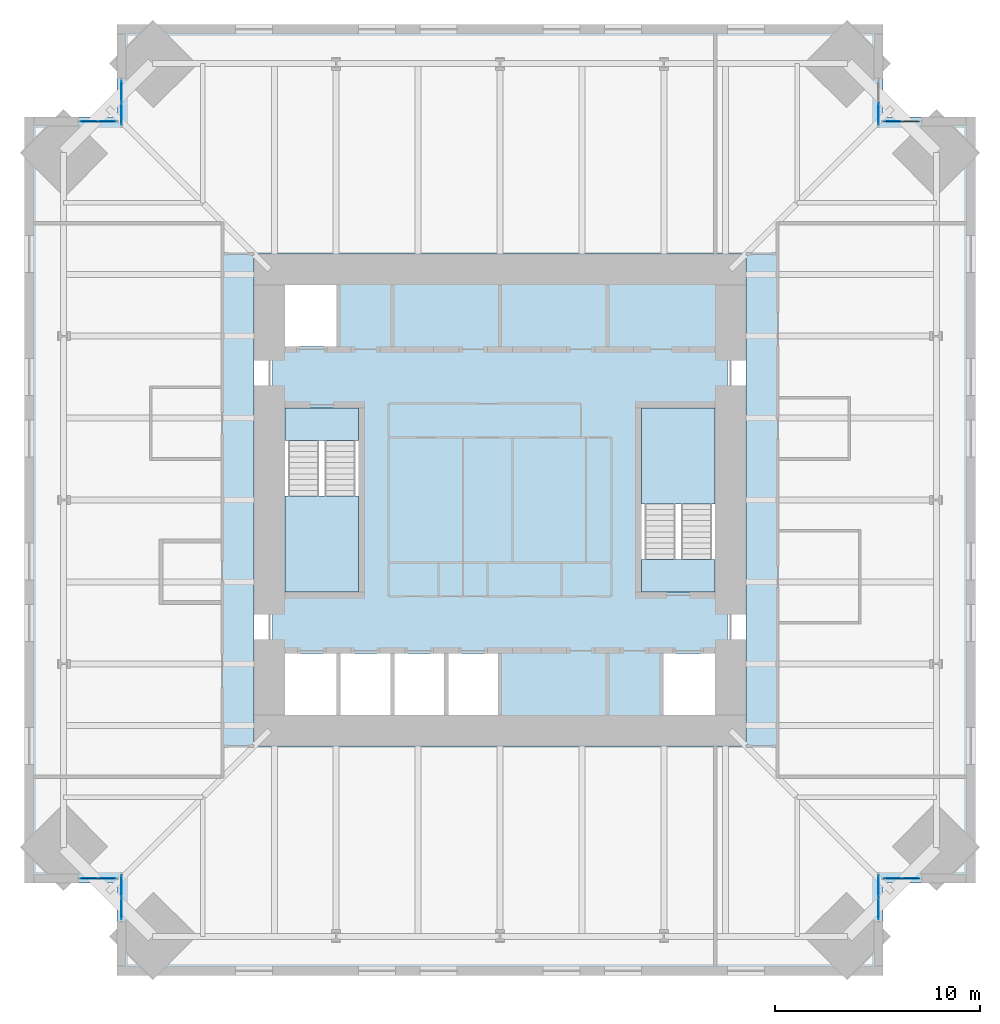
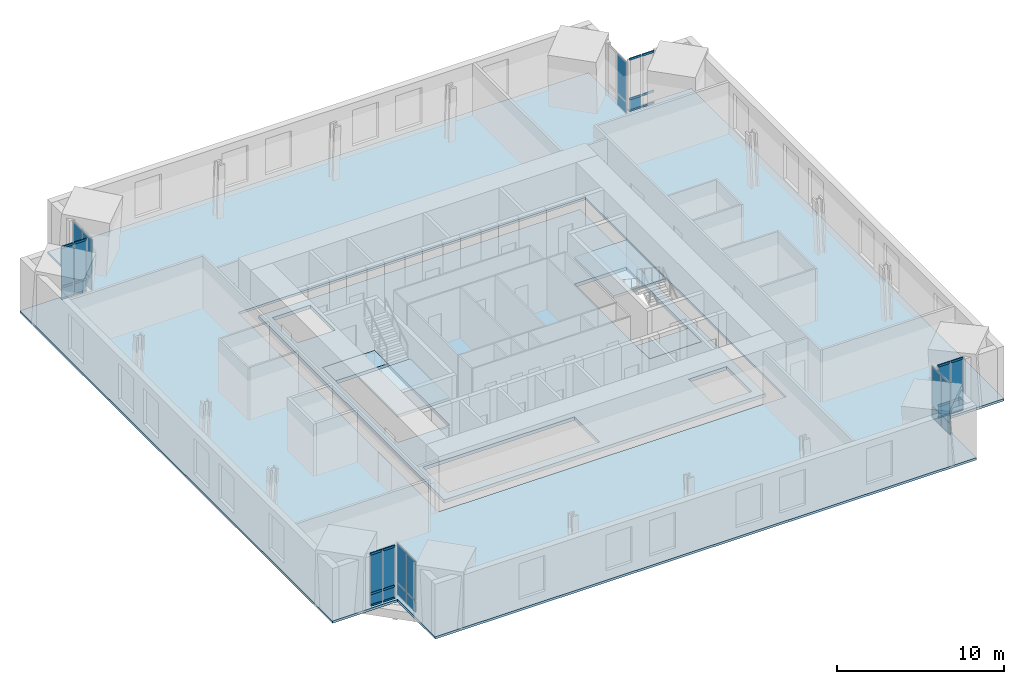
# One storey, part 9 of 15: 27 plates, 24 members, 6 slabs, 10 elements without a shape of their own.
"""IFC4 building model written with IfcOpenShell, lengths in metres."""

from ifc_helpers import new_model, si_unit, direction, frame, origin, origin_2d, place, context, subcontext, project, spatial, polyline, rectangle, hollow_rectangle, outline, extrude, material, layer, layer_set, material_profile, profile_set, type_object, element, aggregate, save


model = new_model("IFC4")

# Units and contexts
model_context = context("Model", 3, precision=1e-05, world=origin(), true_north=direction((0.0, 1.0)))
body_context = subcontext(model_context, "Body", "Model", "MODEL_VIEW")
ifc_project = project(units=[si_unit("LENGTHUNIT", "METRE"), si_unit("AREAUNIT", "SQUARE_METRE"), si_unit("VOLUMEUNIT", "CUBIC_METRE"), si_unit("PLANEANGLEUNIT", "RADIAN"), si_unit("MASSUNIT", "GRAM", prefix="KILO")], contexts=[model_context])

# Site, building, storey
site_placement = place(None, origin())
site = spatial("IfcSite", under=ifc_project, at=site_placement, CompositionType="ELEMENT")
building_placement = place(site_placement, origin())
building = spatial("IfcBuilding", under=site, at=building_placement, Name="Peilmerk Tower", CompositionType="ELEMENT")
storey_placement = place(building_placement, frame((0.0, 0.0, 237.800048828125)))
storey = spatial("IfcBuildingStorey", under=building, at=storey_placement, Name="L52", CompositionType="ELEMENT", Elevation=237.800048828125)

# Curtain wall, members
ifc_material_1 = material(Name="Aluminium stick curtain wall", Category="aluminium")
curtain_wall_type = type_object("IfcCurtainWallType", Name="CW4 stick curtain wall, 2250 module", PredefinedType="NOTDEFINED", material=ifc_material_1)
curtain_wall_1_placement = place(storey_placement, origin())
curtain_wall_1 = element("IfcCurtainWall", 1, at=curtain_wall_1_placement, inside=storey, type_object=curtain_wall_type, Name="Curtain wall CW4 NEB L52", PredefinedType="NOTDEFINED")
ifc_material_2 = material(Name="Aluminium EN AW-6063 T6", Category="aluminium")
ifc_material_profile = material_profile(ifc_material_2, hollow_rectangle(XDim=0.06494140625, YDim=0.14990234375, WallThickness=0.0029296875, at=origin_2d()), Name="AL 150x65x3")
ifc_profile_set = profile_set([ifc_material_profile], Name="Aluminium EN AW-6063 T6")
member_type = type_object("IfcMemberType", Name="CW4-T AL 150x65x3 transom", PredefinedType="USERDEFINED", material=ifc_profile_set)
member_1_placement = place(storey_placement, frame((18.764892578125, 18.47509765625, 0.032470703125), z_axis=(1.0, 0.0, 0.0), x_axis=(0.0, 1.0, 0.0)))
member_1 = element("IfcMember", 2, at=member_1_placement, type_object=member_type, Name="CW4 transom 1.1", ObjectType="TRANSOM", PredefinedType="USERDEFINED", context=body_context, shape_type="SweptSolid", body=[
    extrude(hollow_rectangle(XDim=0.06494140625, YDim=0.14990234375, WallThickness=0.0029296875, at=origin_2d()), origin(), (0.0, 0.0, 1.0), 0.822021484375),
])
member_2_placement = place(storey_placement, frame((18.764892578125, 18.47509765625, 0.89990234375), z_axis=(1.0, 0.0, 0.0), x_axis=(0.0, 1.0, 0.0)))
member_2 = element("IfcMember", 3, at=member_2_placement, type_object=member_type, Name="CW4 transom 1.2", ObjectType="TRANSOM", PredefinedType="USERDEFINED", context=body_context, shape_type="SweptSolid", body=[
    extrude(hollow_rectangle(XDim=0.06494140625, YDim=0.14990234375, WallThickness=0.0029296875, at=origin_2d()), origin(), (0.0, 0.0, 1.0), 0.822021484375),
])
member_3_placement = place(storey_placement, frame((18.764892578125, 18.47509765625, 3.79736328125), z_axis=(1.0, 0.0, 0.0), x_axis=(0.0, 1.0, 0.0)))
member_3 = element("IfcMember", 4, at=member_3_placement, type_object=member_type, Name="CW4 transom 1.3", ObjectType="TRANSOM", PredefinedType="USERDEFINED", context=body_context, shape_type="SweptSolid", body=[
    extrude(hollow_rectangle(XDim=0.06494140625, YDim=0.14990234375, WallThickness=0.0029296875, at=origin_2d()), origin(), (0.0, 0.0, 1.0), 0.822021484375),
])
member_4_placement = place(storey_placement, frame((19.65185546875, 18.47509765625, 0.032470703125), z_axis=(1.0, 0.0, 0.0), x_axis=(0.0, 1.0, 0.0)))
member_4 = element("IfcMember", 5, at=member_4_placement, type_object=member_type, Name="CW4 transom 2.1", ObjectType="TRANSOM", PredefinedType="USERDEFINED", context=body_context, shape_type="SweptSolid", body=[
    extrude(hollow_rectangle(XDim=0.06494140625, YDim=0.14990234375, WallThickness=0.0029296875, at=origin_2d()), origin(), (0.0, 0.0, 1.0), 0.82177734375),
])
member_5_placement = place(storey_placement, frame((19.65185546875, 18.47509765625, 0.89990234375), z_axis=(1.0, 0.0, 0.0), x_axis=(0.0, 1.0, 0.0)))
member_5 = element("IfcMember", 6, at=member_5_placement, type_object=member_type, Name="CW4 transom 2.2", ObjectType="TRANSOM", PredefinedType="USERDEFINED", context=body_context, shape_type="SweptSolid", body=[
    extrude(hollow_rectangle(XDim=0.06494140625, YDim=0.14990234375, WallThickness=0.0029296875, at=origin_2d()), origin(), (0.0, 0.0, 1.0), 0.82177734375),
])
member_6_placement = place(storey_placement, frame((19.65185546875, 18.47509765625, 3.79736328125), z_axis=(1.0, 0.0, 0.0), x_axis=(0.0, 1.0, 0.0)))
member_6 = element("IfcMember", 7, at=member_6_placement, type_object=member_type, Name="CW4 transom 2.3", ObjectType="TRANSOM", PredefinedType="USERDEFINED", context=body_context, shape_type="SweptSolid", body=[
    extrude(hollow_rectangle(XDim=0.06494140625, YDim=0.14990234375, WallThickness=0.0029296875, at=origin_2d()), origin(), (0.0, 0.0, 1.0), 0.82177734375),
])

curtain_wall_2_placement = place(storey_placement, origin())
curtain_wall_2 = element("IfcCurtainWall", 8, at=curtain_wall_2_placement, inside=storey, type_object=curtain_wall_type, Name="Curtain wall CW4 SEB L52", PredefinedType="NOTDEFINED")
member_7_placement = place(storey_placement, frame((18.764892578125, -18.47509765625, 0.032470703125), z_axis=(1.0, 0.0, 0.0), x_axis=(0.0, 1.0, 0.0)))
member_7 = element("IfcMember", 9, at=member_7_placement, type_object=member_type, Name="CW4 transom 1.1", ObjectType="TRANSOM", PredefinedType="USERDEFINED", context=body_context, shape_type="SweptSolid", body=[
    extrude(hollow_rectangle(XDim=0.06494140625, YDim=0.14990234375, WallThickness=0.0029296875, at=origin_2d()), origin(), (0.0, 0.0, 1.0), 0.822021484375),
])
member_8_placement = place(storey_placement, frame((18.764892578125, -18.47509765625, 0.89990234375), z_axis=(1.0, 0.0, 0.0), x_axis=(0.0, 1.0, 0.0)))
member_8 = element("IfcMember", 10, at=member_8_placement, type_object=member_type, Name="CW4 transom 1.2", ObjectType="TRANSOM", PredefinedType="USERDEFINED", context=body_context, shape_type="SweptSolid", body=[
    extrude(hollow_rectangle(XDim=0.06494140625, YDim=0.14990234375, WallThickness=0.0029296875, at=origin_2d()), origin(), (0.0, 0.0, 1.0), 0.822021484375),
])
member_9_placement = place(storey_placement, frame((18.764892578125, -18.47509765625, 3.79736328125), z_axis=(1.0, 0.0, 0.0), x_axis=(0.0, 1.0, 0.0)))
member_9 = element("IfcMember", 11, at=member_9_placement, type_object=member_type, Name="CW4 transom 1.3", ObjectType="TRANSOM", PredefinedType="USERDEFINED", context=body_context, shape_type="SweptSolid", body=[
    extrude(hollow_rectangle(XDim=0.06494140625, YDim=0.14990234375, WallThickness=0.0029296875, at=origin_2d()), origin(), (0.0, 0.0, 1.0), 0.822021484375),
])
member_10_placement = place(storey_placement, frame((19.65185546875, -18.47509765625, 0.032470703125), z_axis=(1.0, 0.0, 0.0), x_axis=(0.0, 1.0, 0.0)))
member_10 = element("IfcMember", 12, at=member_10_placement, type_object=member_type, Name="CW4 transom 2.1", ObjectType="TRANSOM", PredefinedType="USERDEFINED", context=body_context, shape_type="SweptSolid", body=[
    extrude(hollow_rectangle(XDim=0.06494140625, YDim=0.14990234375, WallThickness=0.0029296875, at=origin_2d()), origin(), (0.0, 0.0, 1.0), 0.82177734375),
])
member_11_placement = place(storey_placement, frame((19.65185546875, -18.47509765625, 0.89990234375), z_axis=(1.0, 0.0, 0.0), x_axis=(0.0, 1.0, 0.0)))
member_11 = element("IfcMember", 13, at=member_11_placement, type_object=member_type, Name="CW4 transom 2.2", ObjectType="TRANSOM", PredefinedType="USERDEFINED", context=body_context, shape_type="SweptSolid", body=[
    extrude(hollow_rectangle(XDim=0.06494140625, YDim=0.14990234375, WallThickness=0.0029296875, at=origin_2d()), origin(), (0.0, 0.0, 1.0), 0.82177734375),
])
member_12_placement = place(storey_placement, frame((19.65185546875, -18.47509765625, 3.79736328125), z_axis=(1.0, 0.0, 0.0), x_axis=(0.0, 1.0, 0.0)))
member_12 = element("IfcMember", 14, at=member_12_placement, type_object=member_type, Name="CW4 transom 2.3", ObjectType="TRANSOM", PredefinedType="USERDEFINED", context=body_context, shape_type="SweptSolid", body=[
    extrude(hollow_rectangle(XDim=0.06494140625, YDim=0.14990234375, WallThickness=0.0029296875, at=origin_2d()), origin(), (0.0, 0.0, 1.0), 0.82177734375),
])

curtain_wall_3_placement = place(storey_placement, origin())
curtain_wall_3 = element("IfcCurtainWall", 15, at=curtain_wall_3_placement, inside=storey, type_object=curtain_wall_type, Name="Curtain wall CW4 SWB L52", PredefinedType="NOTDEFINED")
member_13_placement = place(storey_placement, frame((-18.764892578125, -18.47509765625, 0.032470703125), z_axis=(-1.0, 0.0, 0.0), x_axis=(0.0, -1.0, 0.0)))
member_13 = element("IfcMember", 16, at=member_13_placement, type_object=member_type, Name="CW4 transom 1.1", ObjectType="TRANSOM", PredefinedType="USERDEFINED", context=body_context, shape_type="SweptSolid", body=[
    extrude(hollow_rectangle(XDim=0.06494140625, YDim=0.14990234375, WallThickness=0.0029296875, at=origin_2d()), origin(), (0.0, 0.0, 1.0), 0.822021484375),
])
member_14_placement = place(storey_placement, frame((-18.764892578125, -18.47509765625, 0.89990234375), z_axis=(-1.0, 0.0, 0.0), x_axis=(0.0, -1.0, 0.0)))
member_14 = element("IfcMember", 17, at=member_14_placement, type_object=member_type, Name="CW4 transom 1.2", ObjectType="TRANSOM", PredefinedType="USERDEFINED", context=body_context, shape_type="SweptSolid", body=[
    extrude(hollow_rectangle(XDim=0.06494140625, YDim=0.14990234375, WallThickness=0.0029296875, at=origin_2d()), origin(), (0.0, 0.0, 1.0), 0.822021484375),
])
member_15_placement = place(storey_placement, frame((-18.764892578125, -18.47509765625, 3.79736328125), z_axis=(-1.0, 0.0, 0.0), x_axis=(0.0, -1.0, 0.0)))
member_15 = element("IfcMember", 18, at=member_15_placement, type_object=member_type, Name="CW4 transom 1.3", ObjectType="TRANSOM", PredefinedType="USERDEFINED", context=body_context, shape_type="SweptSolid", body=[
    extrude(hollow_rectangle(XDim=0.06494140625, YDim=0.14990234375, WallThickness=0.0029296875, at=origin_2d()), origin(), (0.0, 0.0, 1.0), 0.822021484375),
])
member_16_placement = place(storey_placement, frame((-19.65185546875, -18.47509765625, 0.032470703125), z_axis=(-1.0, 0.0, 0.0), x_axis=(0.0, -1.0, 0.0)))
member_16 = element("IfcMember", 19, at=member_16_placement, type_object=member_type, Name="CW4 transom 2.1", ObjectType="TRANSOM", PredefinedType="USERDEFINED", context=body_context, shape_type="SweptSolid", body=[
    extrude(hollow_rectangle(XDim=0.06494140625, YDim=0.14990234375, WallThickness=0.0029296875, at=origin_2d()), origin(), (0.0, 0.0, 1.0), 0.82177734375),
])
member_17_placement = place(storey_placement, frame((-19.65185546875, -18.47509765625, 0.89990234375), z_axis=(-1.0, 0.0, 0.0), x_axis=(0.0, -1.0, 0.0)))
member_17 = element("IfcMember", 20, at=member_17_placement, type_object=member_type, Name="CW4 transom 2.2", ObjectType="TRANSOM", PredefinedType="USERDEFINED", context=body_context, shape_type="SweptSolid", body=[
    extrude(hollow_rectangle(XDim=0.06494140625, YDim=0.14990234375, WallThickness=0.0029296875, at=origin_2d()), origin(), (0.0, 0.0, 1.0), 0.82177734375),
])
member_18_placement = place(storey_placement, frame((-19.65185546875, -18.47509765625, 3.79736328125), z_axis=(-1.0, 0.0, 0.0), x_axis=(0.0, -1.0, 0.0)))
member_18 = element("IfcMember", 21, at=member_18_placement, type_object=member_type, Name="CW4 transom 2.3", ObjectType="TRANSOM", PredefinedType="USERDEFINED", context=body_context, shape_type="SweptSolid", body=[
    extrude(hollow_rectangle(XDim=0.06494140625, YDim=0.14990234375, WallThickness=0.0029296875, at=origin_2d()), origin(), (0.0, 0.0, 1.0), 0.82177734375),
])

curtain_wall_4_placement = place(storey_placement, origin())
curtain_wall_4 = element("IfcCurtainWall", 22, at=curtain_wall_4_placement, inside=storey, type_object=curtain_wall_type, Name="Curtain wall CW4 NWB L52", PredefinedType="NOTDEFINED")
member_19_placement = place(storey_placement, frame((-18.764892578125, 18.47509765625, 0.032470703125), z_axis=(-1.0, 0.0, 0.0), x_axis=(0.0, -1.0, 0.0)))
member_19 = element("IfcMember", 23, at=member_19_placement, type_object=member_type, Name="CW4 transom 1.1", ObjectType="TRANSOM", PredefinedType="USERDEFINED", context=body_context, shape_type="SweptSolid", body=[
    extrude(hollow_rectangle(XDim=0.06494140625, YDim=0.14990234375, WallThickness=0.0029296875, at=origin_2d()), origin(), (0.0, 0.0, 1.0), 0.822021484375),
])
member_20_placement = place(storey_placement, frame((-18.764892578125, 18.47509765625, 0.89990234375), z_axis=(-1.0, 0.0, 0.0), x_axis=(0.0, -1.0, 0.0)))
member_20 = element("IfcMember", 24, at=member_20_placement, type_object=member_type, Name="CW4 transom 1.2", ObjectType="TRANSOM", PredefinedType="USERDEFINED", context=body_context, shape_type="SweptSolid", body=[
    extrude(hollow_rectangle(XDim=0.06494140625, YDim=0.14990234375, WallThickness=0.0029296875, at=origin_2d()), origin(), (0.0, 0.0, 1.0), 0.822021484375),
])
member_21_placement = place(storey_placement, frame((-18.764892578125, 18.47509765625, 3.79736328125), z_axis=(-1.0, 0.0, 0.0), x_axis=(0.0, -1.0, 0.0)))
member_21 = element("IfcMember", 25, at=member_21_placement, type_object=member_type, Name="CW4 transom 1.3", ObjectType="TRANSOM", PredefinedType="USERDEFINED", context=body_context, shape_type="SweptSolid", body=[
    extrude(hollow_rectangle(XDim=0.06494140625, YDim=0.14990234375, WallThickness=0.0029296875, at=origin_2d()), origin(), (0.0, 0.0, 1.0), 0.822021484375),
])
member_22_placement = place(storey_placement, frame((-19.65185546875, 18.47509765625, 0.032470703125), z_axis=(-1.0, 0.0, 0.0), x_axis=(0.0, -1.0, 0.0)))
member_22 = element("IfcMember", 26, at=member_22_placement, type_object=member_type, Name="CW4 transom 2.1", ObjectType="TRANSOM", PredefinedType="USERDEFINED", context=body_context, shape_type="SweptSolid", body=[
    extrude(hollow_rectangle(XDim=0.06494140625, YDim=0.14990234375, WallThickness=0.0029296875, at=origin_2d()), origin(), (0.0, 0.0, 1.0), 0.82177734375),
])
member_23_placement = place(storey_placement, frame((-19.65185546875, 18.47509765625, 0.89990234375), z_axis=(-1.0, 0.0, 0.0), x_axis=(0.0, -1.0, 0.0)))
member_23 = element("IfcMember", 27, at=member_23_placement, type_object=member_type, Name="CW4 transom 2.2", ObjectType="TRANSOM", PredefinedType="USERDEFINED", context=body_context, shape_type="SweptSolid", body=[
    extrude(hollow_rectangle(XDim=0.06494140625, YDim=0.14990234375, WallThickness=0.0029296875, at=origin_2d()), origin(), (0.0, 0.0, 1.0), 0.82177734375),
])
member_24_placement = place(storey_placement, frame((-19.65185546875, 18.47509765625, 3.79736328125), z_axis=(-1.0, 0.0, 0.0), x_axis=(0.0, -1.0, 0.0)))
member_24 = element("IfcMember", 28, at=member_24_placement, type_object=member_type, Name="CW4 transom 2.3", ObjectType="TRANSOM", PredefinedType="USERDEFINED", context=body_context, shape_type="SweptSolid", body=[
    extrude(hollow_rectangle(XDim=0.06494140625, YDim=0.14990234375, WallThickness=0.0029296875, at=origin_2d()), origin(), (0.0, 0.0, 1.0), 0.82177734375),
])

# Slab
ifc_material_3 = material(Name="Concrete C55/67", Category="concrete")
ifc_layer_1 = layer(ifc_material_3, 0.25)
ifc_layer_set_1 = layer_set([ifc_layer_1], Name="Concrete C55/67")
slab_type_1 = type_object("IfcSlabType", Name="CS250 250 core floor slab", PredefinedType="FLOOR", material=ifc_layer_set_1)
slab_1_placement = place(storey_placement, frame((0.0, 0.0, -0.25)))
element("IfcSlab", 29, at=slab_1_placement, inside=storey, type_object=slab_type_1, Name="Core slab L52", PredefinedType="FLOOR", context=body_context, shape_type="SweptSolid", body=[
    extrude(outline(polyline([(11.10009765625, -11.10009765625), (11.10009765625, 11.10009765625), (-11.10009765625, 11.10009765625), (-11.10009765625, -11.10009765625), (11.10009765625, -11.10009765625)]), holes=[polyline([(-7.875, 7.5), (-10.5, 7.5), (-10.5, 10.5), (-7.875, 10.5), (-7.875, 7.5)]), polyline([(0.0, -10.5), (-10.5, -10.5), (-10.5, -7.5), (0.0, -7.5), (0.0, -10.5)]), polyline([(7.875, -10.5), (7.875, -7.5), (10.5, -7.5), (10.5, -10.5), (7.875, -10.5)]), polyline([(-10.5, 4.5), (-6.89990234375, 4.5), (-6.89990234375, -4.5), (-10.5, -4.5), (-10.5, 4.5)]), polyline([(10.5, 4.5), (10.5, -4.5), (6.89990234375, -4.5), (6.89990234375, 4.5), (10.5, 4.5)])]), origin(), (0.0, 0.0, 1.0), 0.25),
])

# Curtain wall, plates
curtain_wall_5_placement = place(storey_placement, origin())
curtain_wall_5 = element("IfcCurtainWall", 30, at=curtain_wall_5_placement, inside=storey, type_object=curtain_wall_type, Name="Curtain wall CW4 NEA L52", PredefinedType="NOTDEFINED")
ifc_material_4 = material(Name="Clear insulated glazing unit", Category="glass")
ifc_layer_2 = layer(ifc_material_4, 0.028076171875)
ifc_layer_set_2 = layer_set([ifc_layer_2], Name="Clear insulated glazing unit")
plate_type = type_object("IfcPlateType", Name="CW4-P 28 glazed panel", PredefinedType="CURTAIN_PANEL", material=ifc_layer_set_2)
plate_1_placement = place(storey_placement, frame((18.47509765625, 18.83837890625, 0.06494140625), z_axis=(0.0, 0.0, 1.0), x_axis=(0.0, 1.0, 0.0)))
plate_1 = element("IfcPlate", 31, at=plate_1_placement, type_object=plate_type, Name="CW4 panel 1.1", PredefinedType="CURTAIN_PANEL", context=body_context, shape_type="SweptSolid", body=[
    extrude(rectangle(XDim=1.046875, YDim=0.028076171875, at=origin_2d()), origin(), (0.0, 0.0, 1.0), 0.802490234375),
])
plate_2_placement = place(storey_placement, frame((18.47509765625, 18.83837890625, 0.932373046875), z_axis=(0.0, 0.0, 1.0), x_axis=(0.0, 1.0, 0.0)))
plate_2 = element("IfcPlate", 32, at=plate_2_placement, type_object=plate_type, Name="CW4 panel 1.2", PredefinedType="CURTAIN_PANEL", context=body_context, shape_type="SweptSolid", body=[
    extrude(rectangle(XDim=1.046875, YDim=0.028076171875, at=origin_2d()), origin(), (0.0, 0.0, 1.0), 2.83251953125),
])
aggregate(curtain_wall_5, [plate_1, plate_2])

# Plate
plate_3_placement = place(storey_placement, frame((19.176025390625, 18.47509765625, 0.06494140625), z_axis=(0.0, 0.0, 1.0), x_axis=(1.0, 0.0, 0.0)))
plate_3 = element("IfcPlate", 33, at=plate_3_placement, type_object=plate_type, Name="CW4 panel 1.1", PredefinedType="CURTAIN_PANEL", context=body_context, shape_type="SweptSolid", body=[
    extrude(rectangle(XDim=0.82177734375, YDim=0.028076171875, at=origin_2d()), origin(), (0.0, 0.0, 1.0), 0.802490234375),
])

aggregate(curtain_wall_1, [member_1, member_2, member_3, plate_3, member_4, member_5, member_6])

# Curtain wall, plates
curtain_wall_6_placement = place(storey_placement, origin())
curtain_wall_6 = element("IfcCurtainWall", 34, at=curtain_wall_6_placement, inside=storey, type_object=curtain_wall_type, Name="Curtain wall CW4 SEA L52", PredefinedType="NOTDEFINED")
plate_4_placement = place(storey_placement, frame((18.47509765625, -18.83837890625, 0.06494140625), z_axis=(0.0, 0.0, 1.0), x_axis=(0.0, -1.0, 0.0)))
plate_4 = element("IfcPlate", 35, at=plate_4_placement, type_object=plate_type, Name="CW4 panel 1.1", PredefinedType="CURTAIN_PANEL", context=body_context, shape_type="SweptSolid", body=[
    extrude(rectangle(XDim=1.046875, YDim=0.028076171875, at=origin_2d()), origin(), (0.0, 0.0, 1.0), 0.802490234375),
])
plate_5_placement = place(storey_placement, frame((18.47509765625, -18.83837890625, 0.932373046875), z_axis=(0.0, 0.0, 1.0), x_axis=(0.0, -1.0, 0.0)))
plate_5 = element("IfcPlate", 36, at=plate_5_placement, type_object=plate_type, Name="CW4 panel 1.2", PredefinedType="CURTAIN_PANEL", context=body_context, shape_type="SweptSolid", body=[
    extrude(rectangle(XDim=1.046875, YDim=0.028076171875, at=origin_2d()), origin(), (0.0, 0.0, 1.0), 2.83251953125),
])
plate_6_placement = place(storey_placement, frame((18.47509765625, -19.9501953125, 0.06494140625), z_axis=(0.0, 0.0, 1.0), x_axis=(0.0, -1.0, 0.0)))
plate_6 = element("IfcPlate", 37, at=plate_6_placement, type_object=plate_type, Name="CW4 panel 2.1", PredefinedType="CURTAIN_PANEL", context=body_context, shape_type="SweptSolid", body=[
    extrude(rectangle(XDim=1.046875, YDim=0.028076171875, at=origin_2d()), origin(), (0.0, 0.0, 1.0), 0.802490234375),
])
plate_7_placement = place(storey_placement, frame((18.47509765625, -19.9501953125, 0.932373046875), z_axis=(0.0, 0.0, 1.0), x_axis=(0.0, -1.0, 0.0)))
plate_7 = element("IfcPlate", 38, at=plate_7_placement, type_object=plate_type, Name="CW4 panel 2.2", PredefinedType="CURTAIN_PANEL", context=body_context, shape_type="SweptSolid", body=[
    extrude(rectangle(XDim=1.046875, YDim=0.028076171875, at=origin_2d()), origin(), (0.0, 0.0, 1.0), 2.83251953125),
])
aggregate(curtain_wall_6, [plate_4, plate_5, plate_6, plate_7])

# Plate
plate_8_placement = place(storey_placement, frame((19.176025390625, -18.47509765625, 0.06494140625), z_axis=(0.0, 0.0, 1.0), x_axis=(1.0, 0.0, 0.0)))
plate_8 = element("IfcPlate", 39, at=plate_8_placement, type_object=plate_type, Name="CW4 panel 1.1", PredefinedType="CURTAIN_PANEL", context=body_context, shape_type="SweptSolid", body=[
    extrude(rectangle(XDim=0.82177734375, YDim=0.028076171875, at=origin_2d()), origin(), (0.0, 0.0, 1.0), 0.802490234375),
])

plate_9_placement = place(storey_placement, frame((19.176025390625, -18.47509765625, 0.932373046875), z_axis=(0.0, 0.0, 1.0), x_axis=(1.0, 0.0, 0.0)))
plate_9 = element("IfcPlate", 40, at=plate_9_placement, type_object=plate_type, Name="CW4 panel 1.2", PredefinedType="CURTAIN_PANEL", context=body_context, shape_type="SweptSolid", body=[
    extrude(rectangle(XDim=0.82177734375, YDim=0.028076171875, at=origin_2d()), origin(), (0.0, 0.0, 1.0), 2.83251953125),
])

plate_10_placement = place(storey_placement, frame((20.062744140625, -18.47509765625, 0.06494140625), z_axis=(0.0, 0.0, 1.0), x_axis=(1.0, 0.0, 0.0)))
plate_10 = element("IfcPlate", 41, at=plate_10_placement, type_object=plate_type, Name="CW4 panel 2.1", PredefinedType="CURTAIN_PANEL", context=body_context, shape_type="SweptSolid", body=[
    extrude(rectangle(XDim=0.82177734375, YDim=0.028076171875, at=origin_2d()), origin(), (0.0, 0.0, 1.0), 0.802490234375),
])

plate_11_placement = place(storey_placement, frame((20.062744140625, -18.47509765625, 0.932373046875), z_axis=(0.0, 0.0, 1.0), x_axis=(1.0, 0.0, 0.0)))
plate_11 = element("IfcPlate", 42, at=plate_11_placement, type_object=plate_type, Name="CW4 panel 2.2", PredefinedType="CURTAIN_PANEL", context=body_context, shape_type="SweptSolid", body=[
    extrude(rectangle(XDim=0.82177734375, YDim=0.028076171875, at=origin_2d()), origin(), (0.0, 0.0, 1.0), 2.83251953125),
])

aggregate(curtain_wall_2, [member_7, member_8, member_9, plate_8, plate_9, member_10, member_11, member_12, plate_10, plate_11])

# Curtain wall, plates
curtain_wall_7_placement = place(storey_placement, origin())
curtain_wall_7 = element("IfcCurtainWall", 43, at=curtain_wall_7_placement, inside=storey, type_object=curtain_wall_type, Name="Curtain wall CW4 SWA L52", PredefinedType="NOTDEFINED")
plate_12_placement = place(storey_placement, frame((-18.47509765625, -18.83837890625, 0.06494140625), z_axis=(0.0, 0.0, 1.0), x_axis=(0.0, -1.0, 0.0)))
plate_12 = element("IfcPlate", 44, at=plate_12_placement, type_object=plate_type, Name="CW4 panel 1.1", PredefinedType="CURTAIN_PANEL", context=body_context, shape_type="SweptSolid", body=[
    extrude(rectangle(XDim=1.046875, YDim=0.028076171875, at=origin_2d()), origin(), (0.0, 0.0, 1.0), 0.802490234375),
])
plate_13_placement = place(storey_placement, frame((-18.47509765625, -18.83837890625, 0.932373046875), z_axis=(0.0, 0.0, 1.0), x_axis=(0.0, -1.0, 0.0)))
plate_13 = element("IfcPlate", 45, at=plate_13_placement, type_object=plate_type, Name="CW4 panel 1.2", PredefinedType="CURTAIN_PANEL", context=body_context, shape_type="SweptSolid", body=[
    extrude(rectangle(XDim=1.046875, YDim=0.028076171875, at=origin_2d()), origin(), (0.0, 0.0, 1.0), 2.83251953125),
])
plate_14_placement = place(storey_placement, frame((-18.47509765625, -19.9501953125, 0.06494140625), z_axis=(0.0, 0.0, 1.0), x_axis=(0.0, -1.0, 0.0)))
plate_14 = element("IfcPlate", 46, at=plate_14_placement, type_object=plate_type, Name="CW4 panel 2.1", PredefinedType="CURTAIN_PANEL", context=body_context, shape_type="SweptSolid", body=[
    extrude(rectangle(XDim=1.046875, YDim=0.028076171875, at=origin_2d()), origin(), (0.0, 0.0, 1.0), 0.802490234375),
])
plate_15_placement = place(storey_placement, frame((-18.47509765625, -19.9501953125, 0.932373046875), z_axis=(0.0, 0.0, 1.0), x_axis=(0.0, -1.0, 0.0)))
plate_15 = element("IfcPlate", 47, at=plate_15_placement, type_object=plate_type, Name="CW4 panel 2.2", PredefinedType="CURTAIN_PANEL", context=body_context, shape_type="SweptSolid", body=[
    extrude(rectangle(XDim=1.046875, YDim=0.028076171875, at=origin_2d()), origin(), (0.0, 0.0, 1.0), 2.83251953125),
])
aggregate(curtain_wall_7, [plate_12, plate_13, plate_14, plate_15])

# Plate
plate_16_placement = place(storey_placement, frame((-19.176025390625, -18.47509765625, 0.06494140625), z_axis=(0.0, 0.0, 1.0), x_axis=(-1.0, 0.0, 0.0)))
plate_16 = element("IfcPlate", 48, at=plate_16_placement, type_object=plate_type, Name="CW4 panel 1.1", PredefinedType="CURTAIN_PANEL", context=body_context, shape_type="SweptSolid", body=[
    extrude(rectangle(XDim=0.82177734375, YDim=0.028076171875, at=origin_2d()), origin(), (0.0, 0.0, 1.0), 0.802490234375),
])

plate_17_placement = place(storey_placement, frame((-19.176025390625, -18.47509765625, 0.932373046875), z_axis=(0.0, 0.0, 1.0), x_axis=(-1.0, 0.0, 0.0)))
plate_17 = element("IfcPlate", 49, at=plate_17_placement, type_object=plate_type, Name="CW4 panel 1.2", PredefinedType="CURTAIN_PANEL", context=body_context, shape_type="SweptSolid", body=[
    extrude(rectangle(XDim=0.82177734375, YDim=0.028076171875, at=origin_2d()), origin(), (0.0, 0.0, 1.0), 2.83251953125),
])

plate_18_placement = place(storey_placement, frame((-20.062744140625, -18.47509765625, 0.06494140625), z_axis=(0.0, 0.0, 1.0), x_axis=(-1.0, 0.0, 0.0)))
plate_18 = element("IfcPlate", 50, at=plate_18_placement, type_object=plate_type, Name="CW4 panel 2.1", PredefinedType="CURTAIN_PANEL", context=body_context, shape_type="SweptSolid", body=[
    extrude(rectangle(XDim=0.82177734375, YDim=0.028076171875, at=origin_2d()), origin(), (0.0, 0.0, 1.0), 0.802490234375),
])

plate_19_placement = place(storey_placement, frame((-20.062744140625, -18.47509765625, 0.932373046875), z_axis=(0.0, 0.0, 1.0), x_axis=(-1.0, 0.0, 0.0)))
plate_19 = element("IfcPlate", 51, at=plate_19_placement, type_object=plate_type, Name="CW4 panel 2.2", PredefinedType="CURTAIN_PANEL", context=body_context, shape_type="SweptSolid", body=[
    extrude(rectangle(XDim=0.82177734375, YDim=0.028076171875, at=origin_2d()), origin(), (0.0, 0.0, 1.0), 2.83251953125),
])

aggregate(curtain_wall_3, [member_13, member_14, member_15, plate_16, plate_17, member_16, member_17, member_18, plate_18, plate_19])

# Curtain wall, plates
curtain_wall_8_placement = place(storey_placement, origin())
curtain_wall_8 = element("IfcCurtainWall", 52, at=curtain_wall_8_placement, inside=storey, type_object=curtain_wall_type, Name="Curtain wall CW4 NWA L52", PredefinedType="NOTDEFINED")
plate_20_placement = place(storey_placement, frame((-18.47509765625, 18.83837890625, 0.06494140625), z_axis=(0.0, 0.0, 1.0), x_axis=(0.0, 1.0, 0.0)))
plate_20 = element("IfcPlate", 53, at=plate_20_placement, type_object=plate_type, Name="CW4 panel 1.1", PredefinedType="CURTAIN_PANEL", context=body_context, shape_type="SweptSolid", body=[
    extrude(rectangle(XDim=1.046875, YDim=0.028076171875, at=origin_2d()), origin(), (0.0, 0.0, 1.0), 0.802490234375),
])
plate_21_placement = place(storey_placement, frame((-18.47509765625, 18.83837890625, 0.932373046875), z_axis=(0.0, 0.0, 1.0), x_axis=(0.0, 1.0, 0.0)))
plate_21 = element("IfcPlate", 54, at=plate_21_placement, type_object=plate_type, Name="CW4 panel 1.2", PredefinedType="CURTAIN_PANEL", context=body_context, shape_type="SweptSolid", body=[
    extrude(rectangle(XDim=1.046875, YDim=0.028076171875, at=origin_2d()), origin(), (0.0, 0.0, 1.0), 2.83251953125),
])
plate_22_placement = place(storey_placement, frame((-18.47509765625, 19.9501953125, 0.06494140625), z_axis=(0.0, 0.0, 1.0), x_axis=(0.0, 1.0, 0.0)))
plate_22 = element("IfcPlate", 55, at=plate_22_placement, type_object=plate_type, Name="CW4 panel 2.1", PredefinedType="CURTAIN_PANEL", context=body_context, shape_type="SweptSolid", body=[
    extrude(rectangle(XDim=1.046875, YDim=0.028076171875, at=origin_2d()), origin(), (0.0, 0.0, 1.0), 0.802490234375),
])
plate_23_placement = place(storey_placement, frame((-18.47509765625, 19.9501953125, 0.932373046875), z_axis=(0.0, 0.0, 1.0), x_axis=(0.0, 1.0, 0.0)))
plate_23 = element("IfcPlate", 56, at=plate_23_placement, type_object=plate_type, Name="CW4 panel 2.2", PredefinedType="CURTAIN_PANEL", context=body_context, shape_type="SweptSolid", body=[
    extrude(rectangle(XDim=1.046875, YDim=0.028076171875, at=origin_2d()), origin(), (0.0, 0.0, 1.0), 2.83251953125),
])
aggregate(curtain_wall_8, [plate_20, plate_21, plate_22, plate_23])

# Plate
plate_24_placement = place(storey_placement, frame((-19.176025390625, 18.47509765625, 0.06494140625), z_axis=(0.0, 0.0, 1.0), x_axis=(-1.0, 0.0, 0.0)))
plate_24 = element("IfcPlate", 57, at=plate_24_placement, type_object=plate_type, Name="CW4 panel 1.1", PredefinedType="CURTAIN_PANEL", context=body_context, shape_type="SweptSolid", body=[
    extrude(rectangle(XDim=0.82177734375, YDim=0.028076171875, at=origin_2d()), origin(), (0.0, 0.0, 1.0), 0.802490234375),
])

plate_25_placement = place(storey_placement, frame((-19.176025390625, 18.47509765625, 0.932373046875), z_axis=(0.0, 0.0, 1.0), x_axis=(-1.0, 0.0, 0.0)))
plate_25 = element("IfcPlate", 58, at=plate_25_placement, type_object=plate_type, Name="CW4 panel 1.2", PredefinedType="CURTAIN_PANEL", context=body_context, shape_type="SweptSolid", body=[
    extrude(rectangle(XDim=0.82177734375, YDim=0.028076171875, at=origin_2d()), origin(), (0.0, 0.0, 1.0), 2.83251953125),
])

plate_26_placement = place(storey_placement, frame((-20.062744140625, 18.47509765625, 0.06494140625), z_axis=(0.0, 0.0, 1.0), x_axis=(-1.0, 0.0, 0.0)))
plate_26 = element("IfcPlate", 59, at=plate_26_placement, type_object=plate_type, Name="CW4 panel 2.1", PredefinedType="CURTAIN_PANEL", context=body_context, shape_type="SweptSolid", body=[
    extrude(rectangle(XDim=0.82177734375, YDim=0.028076171875, at=origin_2d()), origin(), (0.0, 0.0, 1.0), 0.802490234375),
])

plate_27_placement = place(storey_placement, frame((-20.062744140625, 18.47509765625, 0.932373046875), z_axis=(0.0, 0.0, 1.0), x_axis=(-1.0, 0.0, 0.0)))
plate_27 = element("IfcPlate", 60, at=plate_27_placement, type_object=plate_type, Name="CW4 panel 2.2", PredefinedType="CURTAIN_PANEL", context=body_context, shape_type="SweptSolid", body=[
    extrude(rectangle(XDim=0.82177734375, YDim=0.028076171875, at=origin_2d()), origin(), (0.0, 0.0, 1.0), 2.83251953125),
])

aggregate(curtain_wall_4, [member_19, member_20, member_21, plate_24, plate_25, member_22, member_23, member_24, plate_26, plate_27])

# Slab
ifc_material_5 = material(Name="Concrete C35/45", Category="concrete")
ifc_layer_3 = layer(ifc_material_5, 0.169921875)
ifc_layer_set_3 = layer_set([ifc_layer_3], Name="Concrete C35/45")
slab_type_2 = type_object("IfcSlabType", Name="FS170 170 composite floor slab", PredefinedType="FLOOR", material=ifc_layer_set_3)
slab_2_placement = place(storey_placement, frame((0.0, 0.0, -0.170166015625)))
element("IfcSlab", 61, at=slab_2_placement, inside=storey, type_object=slab_type_2, Name="Floor slab L52", PredefinedType="FLOOR", context=body_context, shape_type="SweptSolid", body=[
    extrude(outline(polyline([(-18.699951171875, -23.199951171875), (18.699951171875, -23.199951171875), (18.699951171875, -18.699951171875), (23.199951171875, -18.699951171875), (23.199951171875, 18.699951171875), (18.699951171875, 18.699951171875), (18.699951171875, 23.199951171875), (-18.699951171875, 23.199951171875), (-18.699951171875, 18.699951171875), (-23.199951171875, 18.699951171875), (-23.199951171875, -18.699951171875), (-18.699951171875, -18.699951171875), (-18.699951171875, -23.199951171875)]), holes=[polyline([(12.0, 12.0), (12.0, -12.0), (-12.0, -12.0), (-12.0, 12.0), (12.0, 12.0)])]), origin(), (0.0, 0.0, 1.0), 0.170166015625),
])

# Stair, slab
ifc_material_6 = material(Name="Precast concrete C45/55", Category="concrete")
stair_type_1 = type_object("IfcStairType", Name="ST1 22 risers of 181.8", PredefinedType="HALF_TURN_STAIR", material=ifc_material_6)
stair_1_placement = place(storey_placement, origin())
stair_1 = element("IfcStair", 62, at=stair_1_placement, inside=storey, type_object=stair_type_1, Name="Stair 1 L52 to L53", PredefinedType="HALF_TURN_STAIR")
ifc_layer_4 = layer(ifc_material_5, 0.199951171875)
ifc_layer_set_4 = layer_set([ifc_layer_4], Name="Concrete C35/45")
slab_type_3 = type_object("IfcSlabType", Name="SL1 200 concrete stair landing", PredefinedType="LANDING", material=ifc_layer_set_4)
slab_3_placement = place(storey_placement, frame((0.0, 0.0, 1.800048828125)))
slab_3 = element("IfcSlab", 63, at=slab_3_placement, type_object=slab_type_3, Name="ST1 landing 1", PredefinedType="LANDING", context=body_context, shape_type="SweptSolid", body=[
    extrude(outline(polyline([(-10.5, -4.5), (-6.89990234375, -4.5), (-6.89990234375, 0.199951171875), (-10.5, 0.199951171875), (-10.5, -4.5)])), origin(), (0.0, 0.0, 1.0), 0.199951171875),
])

stair_type_2 = type_object("IfcStairType", Name="ST2 22 risers of 181.8", PredefinedType="HALF_TURN_STAIR", material=ifc_material_6)
stair_2_placement = place(storey_placement, origin())
stair_2 = element("IfcStair", 64, at=stair_2_placement, inside=storey, type_object=stair_type_2, Name="Stair 2 L52 to L53", PredefinedType="HALF_TURN_STAIR")
slab_4_placement = place(storey_placement, frame((0.0, 0.0, 1.800048828125)))
slab_4 = element("IfcSlab", 65, at=slab_4_placement, type_object=slab_type_3, Name="ST2 landing 1", PredefinedType="LANDING", context=body_context, shape_type="SweptSolid", body=[
    extrude(outline(polyline([(6.89990234375, -0.199951171875), (10.5, -0.199951171875), (10.5, 4.5), (6.89990234375, 4.5), (6.89990234375, -0.199951171875)])), origin(), (0.0, 0.0, 1.0), 0.199951171875),
])

# Slab
ifc_layer_5 = layer(ifc_material_5, 0.25)
ifc_layer_set_5 = layer_set([ifc_layer_5], Name="Concrete C35/45")
slab_type_4 = type_object("IfcSlabType", Name="SL2 250 concrete floor landing", PredefinedType="LANDING", material=ifc_layer_set_5)
slab_5_placement = place(storey_placement, frame((0.0, 0.0, -0.25)))
slab_5 = element("IfcSlab", 66, at=slab_5_placement, type_object=slab_type_4, Name="ST1 floor landing", PredefinedType="LANDING", context=body_context, shape_type="SweptSolid", body=[
    extrude(outline(polyline([(-10.5, 2.89990234375), (-6.89990234375, 2.89990234375), (-6.89990234375, 4.5), (-10.5, 4.5), (-10.5, 2.89990234375)])), origin(), (0.0, 0.0, 1.0), 0.25),
])

aggregate(stair_1, [slab_3, slab_5])

slab_6_placement = place(storey_placement, frame((0.0, 0.0, -0.25)))
slab_6 = element("IfcSlab", 67, at=slab_6_placement, type_object=slab_type_4, Name="ST2 floor landing", PredefinedType="LANDING", context=body_context, shape_type="SweptSolid", body=[
    extrude(outline(polyline([(6.89990234375, -4.5), (10.5, -4.5), (10.5, -2.89990234375), (6.89990234375, -2.89990234375), (6.89990234375, -4.5)])), origin(), (0.0, 0.0, 1.0), 0.25),
])

aggregate(stair_2, [slab_4, slab_6])

save(model, "model.ifc")
